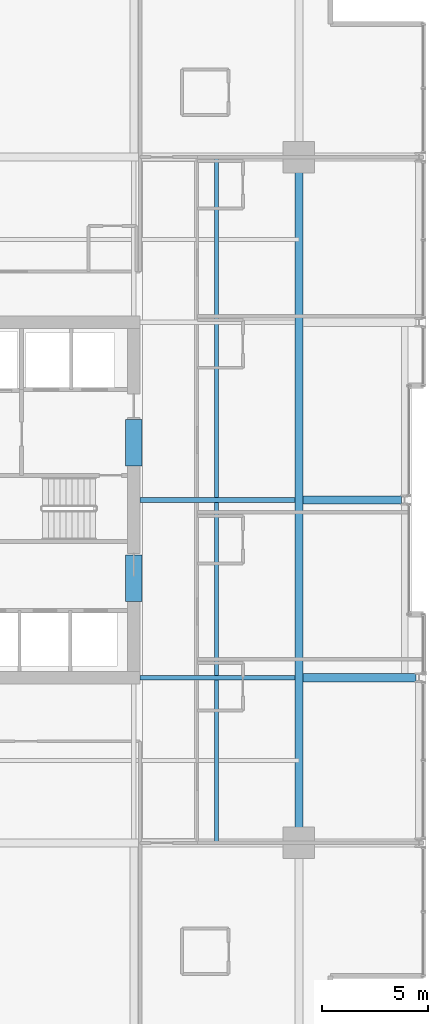
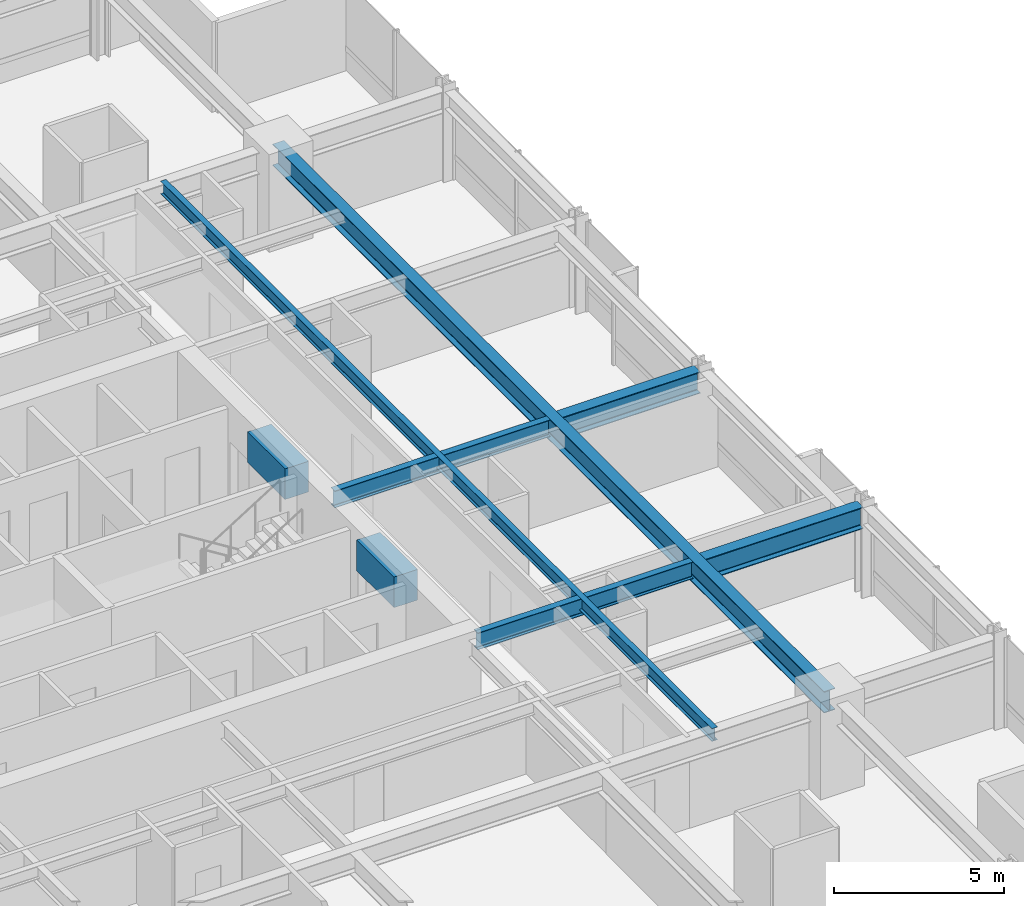
# One storey, part 14 of 33: 8 beams.
"""IFC4 building model written with IfcOpenShell, lengths in metres."""

from ifc_helpers import new_model, si_unit, direction, frame, origin, origin_2d, place, context, subcontext, project, spatial, rectangle, i_section, extrude, material, material_profile, profile_set, type_object, element, save


model = new_model("IFC4")

# Units and contexts
model_context = context("Model", 3, precision=1e-05, world=origin(), true_north=direction((0.0, 1.0)))
body_context = subcontext(model_context, "Body", "Model", "MODEL_VIEW")
ifc_project = project(units=[si_unit("LENGTHUNIT", "METRE"), si_unit("AREAUNIT", "SQUARE_METRE"), si_unit("VOLUMEUNIT", "CUBIC_METRE"), si_unit("PLANEANGLEUNIT", "RADIAN"), si_unit("MASSUNIT", "GRAM", prefix="KILO")], contexts=[model_context])

# Site, building, storey
site_placement = place(None, origin())
site = spatial("IfcSite", under=ifc_project, at=site_placement, CompositionType="ELEMENT")
building_placement = place(site_placement, origin())
building = spatial("IfcBuilding", under=site, at=building_placement, Name="Drelvath Grand Hotel", CompositionType="ELEMENT")
storey_placement = place(building_placement, frame((0.0, 0.0, 105.800048828125)))
storey = spatial("IfcBuildingStorey", under=building, at=storey_placement, Name="L26", CompositionType="ELEMENT", Elevation=105.800048828125)

# Beams
ifc_material_1 = material(Name="Steel ASTM A992 Gr 50", Category="steel")
ifc_material_profile_1 = material_profile(ifc_material_1, i_section(OverallWidth=0.19140625, OverallDepth=0.4599609375, WebThickness=0.010009765625, FlangeThickness=0.01611328125, FilletRadius=0.01611328125, at=origin_2d()), Name="W18X55")
ifc_profile_set_1 = profile_set([ifc_material_profile_1], Name="Steel ASTM A992 Gr 50")
beam_type_1 = type_object("IfcBeamType", Name="Composite Floor Joist W18X55", PredefinedType="JOIST", material=ifc_profile_set_1)
beam_1_placement = place(storey_placement, frame((12.300048828125, 10.800048828125, 3.010009765625), z_axis=(0.0, 1.0, 0.0), x_axis=(-1.0, 0.0, 0.0)))
element("IfcBeam", 1, at=beam_1_placement, inside=storey, type_object=beam_type_1, Name="L26 Wing Floor Joist J4", PredefinedType="JOIST", context=body_context, shape_type="SweptSolid", body=[
    extrude(i_section(OverallWidth=0.19140625, OverallDepth=0.4599609375, WebThickness=0.010009765625, FlangeThickness=0.01611328125, FilletRadius=0.01611328125, at=origin_2d()), origin(), (0.0, 0.0, 1.0), 32.39990234375),
])
ifc_material_2 = material(Name="Concrete f'c 70 MPa", Category="concrete")
ifc_material_profile_2 = material_profile(ifc_material_2, rectangle(XDim=0.800048828125, YDim=1.10009765625, at=origin_2d()), Name="CB800X1100")
ifc_profile_set_2 = profile_set([ifc_material_profile_2], Name="Concrete f'c 70 MPa")
beam_type_2 = type_object("IfcBeamType", Name="Core Coupling Lintel CB800X1100", PredefinedType="LINTEL", material=ifc_profile_set_2)
for number, where, z_axis, x_axis, name in (
    (2, (8.39990234375, 22.199951171875, 2.68994140625), (0.0, 1.0, 0.0), (-1.0, 0.0, 0.0), "L26 Core Coupling Lintel ES"),
    (3, (8.39990234375, 28.60009765625, 2.68994140625), (0.0, 1.0, 0.0), (-1.0, 0.0, 0.0), "L26 Core Coupling Lintel EN"),
):
    element("IfcBeam", number, at=place(storey_placement, frame(where, z_axis=z_axis, x_axis=x_axis)), inside=storey, type_object=beam_type_2, Name=name, PredefinedType="LINTEL", context=body_context, shape_type="SweptSolid", body=[
        extrude(rectangle(XDim=0.800048828125, YDim=1.10009765625, at=origin_2d()), origin(), (0.0, 0.0, 1.0), 2.199951171875),
    ])
ifc_material_profile_3 = material_profile(ifc_material_1, i_section(OverallWidth=0.228271484375, OverallDepth=0.607666015625, WebThickness=0.01123046875, FlangeThickness=0.017333984375, FilletRadius=0.02001953125, at=origin_2d()), Name="W24X76")
ifc_profile_set_3 = profile_set([ifc_material_profile_3], Name="Steel ASTM A992 Gr 50")
beam_type_3 = type_object("IfcBeamType", Name="Primary Floor Girder W24X76", PredefinedType="BEAM", material=ifc_profile_set_3)
for number, where, z_axis, x_axis, name in (
    (4, (8.699951171875, 18.60009765625, 2.93603515625), (1.0, 0.0, 0.0), (0.0, 1.0, 0.0), "L26 East Core Tie D"),
    (5, (8.699951171875, 27.0, 2.93603515625), (1.0, 0.0, 0.0), (0.0, 1.0, 0.0), "L26 East Core Tie E"),
):
    element("IfcBeam", number, at=place(storey_placement, frame(where, z_axis=z_axis, x_axis=x_axis)), inside=storey, type_object=beam_type_3, Name=name, PredefinedType="BEAM", context=body_context, shape_type="SweptSolid", body=[
        extrude(i_section(OverallWidth=0.228271484375, OverallDepth=0.607666015625, WebThickness=0.01123046875, FlangeThickness=0.017333984375, FilletRadius=0.02001953125, at=origin_2d()), origin(), (0.0, 0.0, 1.0), 7.309814453125),
    ])
ifc_material_profile_4 = material_profile(ifc_material_1, i_section(OverallWidth=0.380615234375, OverallDepth=0.773193359375, WebThickness=0.0166015625, FlangeThickness=0.027099609375, FilletRadius=0.02490234375, at=origin_2d()), Name="W30X173")
ifc_profile_set_4 = profile_set([ifc_material_profile_4], Name="Steel ASTM A992 Gr 50")
beam_type_4 = type_object("IfcBeamType", Name="Primary Floor Girder W30X173", PredefinedType="BEAM", material=ifc_profile_set_4)
beam_2_placement = place(storey_placement, frame((16.199951171875, 10.800048828125, 2.853271484375), z_axis=(0.0, 1.0, 0.0), x_axis=(-1.0, 0.0, 0.0)))
element("IfcBeam", 6, at=beam_2_placement, inside=storey, type_object=beam_type_4, Name="L26 Mega Ring Girder East", PredefinedType="BEAM", context=body_context, shape_type="SweptSolid", body=[
    extrude(i_section(OverallWidth=0.380615234375, OverallDepth=0.773193359375, WebThickness=0.0166015625, FlangeThickness=0.027099609375, FilletRadius=0.02490234375, at=origin_2d()), origin(), (0.0, 0.0, 1.0), 32.39990234375),
])
beam_3_placement = place(storey_placement, frame((16.390380859375, 18.60009765625, 2.853271484375), z_axis=(1.0, 0.0, 0.0), x_axis=(0.0, 1.0, 0.0)))
element("IfcBeam", 7, at=beam_3_placement, inside=storey, type_object=beam_type_4, Name="L26 East Wing Girder D", PredefinedType="BEAM", context=body_context, shape_type="SweptSolid", body=[
    extrude(i_section(OverallWidth=0.380615234375, OverallDepth=0.773193359375, WebThickness=0.0166015625, FlangeThickness=0.027099609375, FilletRadius=0.02490234375, at=origin_2d()), origin(), (0.0, 0.0, 1.0), 5.349609375),
])
beam_4_placement = place(storey_placement, frame((16.390380859375, 27.0, 2.853271484375), z_axis=(1.0, 0.0, 0.0), x_axis=(0.0, 1.0, 0.0)))
element("IfcBeam", 8, at=beam_4_placement, inside=storey, type_object=beam_type_4, Name="L26 East Wing Girder E", PredefinedType="BEAM", context=body_context, shape_type="SweptSolid", body=[
    extrude(i_section(OverallWidth=0.380615234375, OverallDepth=0.773193359375, WebThickness=0.0166015625, FlangeThickness=0.027099609375, FilletRadius=0.02490234375, at=origin_2d()), origin(), (0.0, 0.0, 1.0), 4.669677734375),
])

save(model, "model.ifc")
